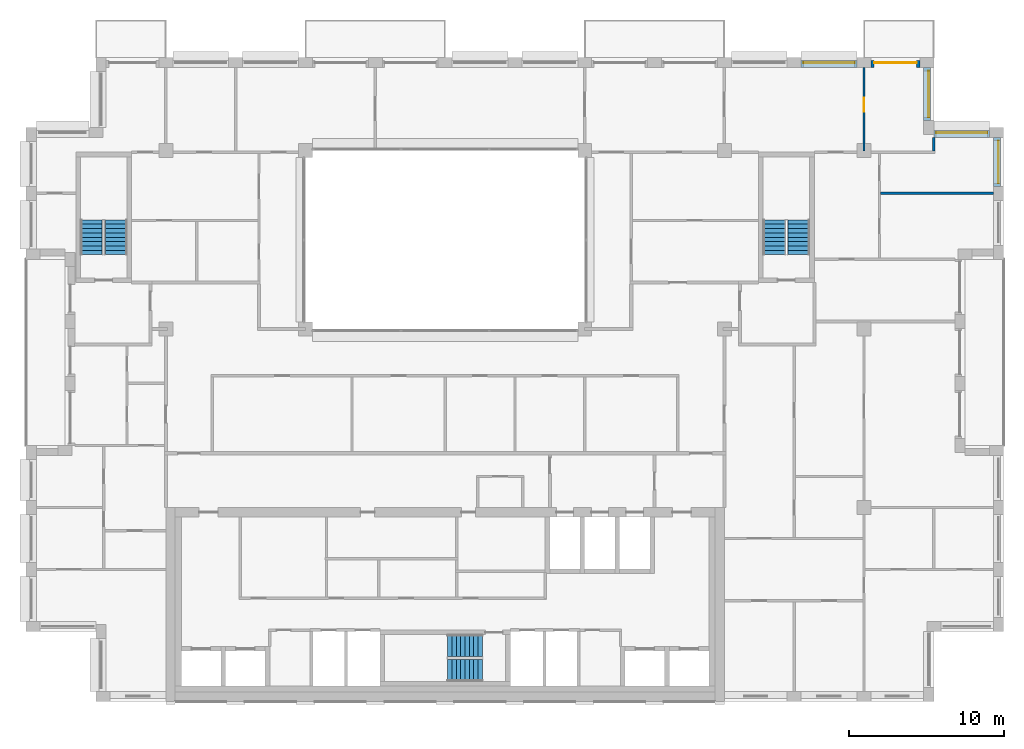
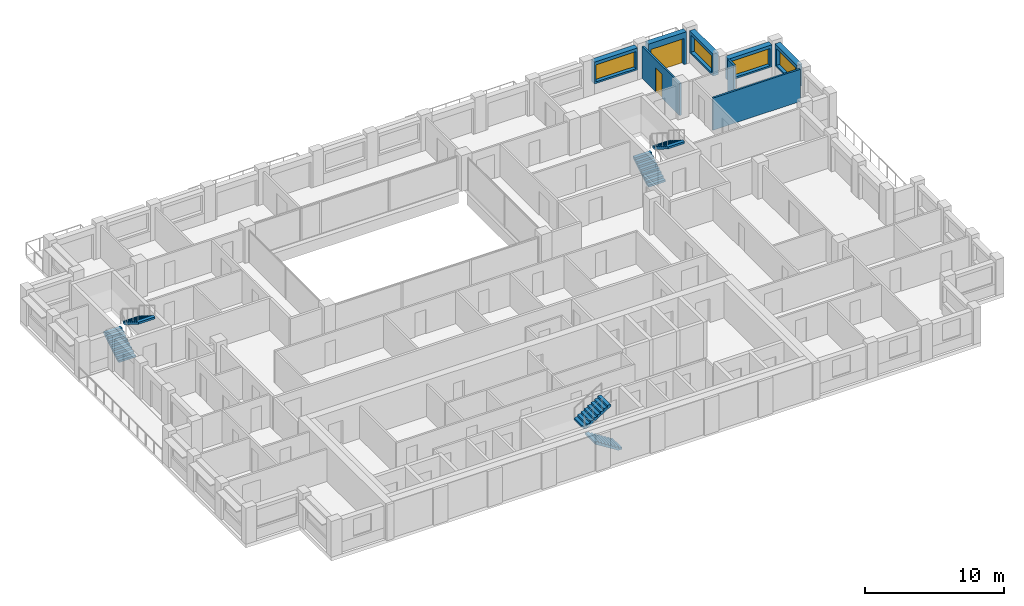
# One storey, part 14 of 15: 8 walls, 6 stair flights, 4 windows, 2 doors, 6 openings, 3 elements without a shape of their own.
"""IFC4 building model written with IfcOpenShell, lengths in metres."""

from ifc_helpers import new_model, si_unit, direction, frame, frame_2d, origin, place, context, subcontext, project, spatial, polyline, rectangle, outline, extrude, material, layer, layer_set, type_object, element, fill, aggregate, save


model = new_model("IFC4")

# Units and contexts
model_context = context("Model", 3, precision=1e-05, world=origin(), true_north=direction((0.0, 1.0)))
body_context = subcontext(model_context, "Body", "Model", "MODEL_VIEW")
ifc_project = project(units=[si_unit("LENGTHUNIT", "METRE"), si_unit("AREAUNIT", "SQUARE_METRE"), si_unit("VOLUMEUNIT", "CUBIC_METRE"), si_unit("PLANEANGLEUNIT", "RADIAN"), si_unit("MASSUNIT", "GRAM", prefix="KILO")], contexts=[model_context])

# Site, building, storey
site_placement = place(None, origin())
site = spatial("IfcSite", under=ifc_project, at=site_placement, CompositionType="ELEMENT")
building_placement = place(site_placement, origin())
building = spatial("IfcBuilding", under=site, at=building_placement, Name="Brigalow Station Residences", CompositionType="ELEMENT")
storey_placement = place(building_placement, frame((0.0, 0.0, 226.35009765625)))
storey = spatial("IfcBuildingStorey", under=building, at=storey_placement, Name="L65", CompositionType="ELEMENT", Elevation=226.35009765625)

# Wall, opening, window
ifc_material_1 = material(Name="Clay brick masonry", Category="masonry")
ifc_layer_1 = layer(ifc_material_1, 0.449951171875)
ifc_layer_set_1 = layer_set([ifc_layer_1], Name="BRICK INFILL WALL 450")
wall_type_1 = type_object("IfcWallType", Name="BRICK INFILL WALL 450", PredefinedType="SOLIDWALL", material=ifc_layer_set_1)
wall_1_placement = place(storey_placement, frame((71.574951171875, 33.199951171875, 0.89990234375), z_axis=(0.0, 0.0, 1.0), x_axis=(0.0, 1.0, 0.0)))
wall_1 = element("IfcWall", 1, at=wall_1_placement, inside=storey, type_object=wall_type_1, Name="L65/ewall/W-L65-17", PredefinedType="SOLIDWALL", context=body_context, shape_type="SweptSolid", body=[
    extrude(rectangle(XDim=3.150146484375, YDim=0.449951171875, at=frame_2d((1.5751953125, 0.0))), origin(), (0.0, 0.0, 1.0), 1.929931640625),
])
opening_1_placement = place(wall_1_placement, frame((0.199951171875, 0.0, 0.14990234375)))
opening_1 = element("IfcOpeningElement", 2, at=opening_1_placement, cuts=wall_1, Name="Opening WT-3", PredefinedType="OPENING", context=body_context, shape_type="SweptSolid", body=[
    extrude(rectangle(XDim=2.75, YDim=1.5, at=frame_2d((1.375, 0.75))), frame((0.0, 0.23486328125, 0.0), z_axis=(0.0, -1.0, 0.0), x_axis=(1.0, 0.0, 0.0)), (0.0, 0.0, 1.0), 0.469970703125),
])
ifc_material_2 = material(Name="Anodised aluminium frame with double glazing", Category="aluminium")
window_type_1 = type_object("IfcWindowType", Name="WINDOW 2750x1500", PartitioningType="SINGLE_PANEL", PredefinedType="WINDOW", material=ifc_material_2)
window_1_placement = place(opening_1_placement, origin())
window_1 = element("IfcWindow", 3, at=window_1_placement, inside=storey, type_object=window_type_1, Name="L65/window/W-L65-17", OverallHeight=1.5, OverallWidth=2.75, PartitioningType="SINGLE_PANEL", PredefinedType="WINDOW", context=body_context, shape_type="SweptSolid", body=[
    extrude(rectangle(XDim=2.75, YDim=1.5, at=frame_2d((1.375, 0.75))), frame((0.0, -0.06494140625, 0.0), z_axis=(0.0, -1.0, 0.0), x_axis=(1.0, 0.0, 0.0)), (0.0, 0.0, 1.0), 0.06005859375),
])
fill(opening_1, window_1)

wall_2_placement = place(storey_placement, frame((71.10009765625, 36.574951171875, 0.89990234375), z_axis=(0.0, 0.0, 1.0), x_axis=(-1.0, 0.0, 0.0)))
wall_2 = element("IfcWall", 4, at=wall_2_placement, inside=storey, type_object=wall_type_1, Name="L65/ewall/W-L65-18", PredefinedType="SOLIDWALL", context=body_context, shape_type="SweptSolid", body=[
    extrude(rectangle(XDim=3.60009765625, YDim=0.449951171875, at=frame_2d((1.800048828125, 0.0))), origin(), (0.0, 0.0, 1.0), 1.929931640625),
])
opening_2_placement = place(wall_2_placement, frame((0.14990234375, 0.0, 0.14990234375)))
opening_2 = element("IfcOpeningElement", 5, at=opening_2_placement, cuts=wall_2, Name="Opening WT-10", PredefinedType="OPENING", context=body_context, shape_type="SweptSolid", body=[
    extrude(rectangle(XDim=3.300048828125, YDim=1.5, at=frame_2d((1.64990234375, 0.75))), frame((0.0, 0.23486328125, 0.0), z_axis=(0.0, -1.0, 0.0), x_axis=(1.0, 0.0, 0.0)), (0.0, 0.0, 1.0), 0.469970703125),
])
ifc_material_3 = material(Name="Anodised aluminium frame with double glazing", Category="aluminium")
window_type_2 = type_object("IfcWindowType", Name="WINDOW 3300x1500", PartitioningType="SINGLE_PANEL", PredefinedType="WINDOW", material=ifc_material_3)
window_2_placement = place(opening_2_placement, origin())
window_2 = element("IfcWindow", 6, at=window_2_placement, inside=storey, type_object=window_type_2, Name="L65/window/W-L65-18", OverallHeight=1.5, OverallWidth=3.300048828125, PartitioningType="SINGLE_PANEL", PredefinedType="WINDOW", context=body_context, shape_type="SweptSolid", body=[
    extrude(rectangle(XDim=3.300048828125, YDim=1.5, at=frame_2d((1.64990234375, 0.75))), frame((0.0, -0.06494140625, 0.0), z_axis=(0.0, -1.0, 0.0), x_axis=(1.0, 0.0, 0.0)), (0.0, 0.0, 1.0), 0.06005859375),
])
fill(opening_2, window_2)

wall_3_placement = place(storey_placement, frame((67.074951171875, 37.449951171875, 0.89990234375), z_axis=(0.0, 0.0, 1.0), x_axis=(0.0, 1.0, 0.0)))
wall_3 = element("IfcWall", 7, at=wall_3_placement, inside=storey, type_object=wall_type_1, Name="L65/ewall/W-L65-19", PredefinedType="SOLIDWALL", context=body_context, shape_type="SweptSolid", body=[
    extrude(rectangle(XDim=3.400146484375, YDim=0.449951171875, at=frame_2d((1.7001953125, 0.0))), origin(), (0.0, 0.0, 1.0), 1.929931640625),
])
opening_3_placement = place(wall_3_placement, frame((0.199951171875, 0.0, 0.14990234375)))
opening_3 = element("IfcOpeningElement", 8, at=opening_3_placement, cuts=wall_3, Name="Opening WT-2", PredefinedType="OPENING", context=body_context, shape_type="SweptSolid", body=[
    extrude(rectangle(XDim=3.0, YDim=1.5, at=frame_2d((1.5, 0.75))), frame((0.0, 0.23486328125, 0.0), z_axis=(0.0, -1.0, 0.0), x_axis=(1.0, 0.0, 0.0)), (0.0, 0.0, 1.0), 0.469970703125),
])
ifc_material_4 = material(Name="Anodised aluminium frame with double glazing", Category="aluminium")
window_type_3 = type_object("IfcWindowType", Name="WINDOW 3000x1500", PartitioningType="SINGLE_PANEL", PredefinedType="WINDOW", material=ifc_material_4)
window_3_placement = place(opening_3_placement, origin())
window_3 = element("IfcWindow", 9, at=window_3_placement, inside=storey, type_object=window_type_3, Name="L65/window/W-L65-19", OverallHeight=1.5, OverallWidth=3.0, PartitioningType="SINGLE_PANEL", PredefinedType="WINDOW", context=body_context, shape_type="SweptSolid", body=[
    extrude(rectangle(XDim=3.0, YDim=1.5, at=frame_2d((1.5, 0.75))), frame((0.0, -0.06494140625, 0.0), z_axis=(0.0, -1.0, 0.0), x_axis=(1.0, 0.0, 0.0)), (0.0, 0.0, 1.0), 0.06005859375),
])
fill(opening_3, window_3)

# Wall, opening, door
wall_4_placement = place(storey_placement, frame((66.60009765625, 41.074951171875, 0.0), z_axis=(0.0, 0.0, 1.0), x_axis=(-1.0, 0.0, 0.0)))
wall_4 = element("IfcWall", 10, at=wall_4_placement, inside=storey, type_object=wall_type_1, Name="L65/ewall/W-L65-20", PredefinedType="SOLIDWALL", context=body_context, shape_type="SweptSolid", body=[
    extrude(rectangle(XDim=3.150146484375, YDim=0.449951171875, at=frame_2d((1.5751953125, 0.0))), origin(), (0.0, 0.0, 1.0), 2.829833984375),
])
opening_4_placement = place(wall_4_placement, frame((0.199951171875, 0.0, 0.0)))
opening_4 = element("IfcOpeningElement", 11, at=opening_4_placement, cuts=wall_4, Name="Opening D-B2750", PredefinedType="OPENING", context=body_context, shape_type="SweptSolid", body=[
    extrude(rectangle(XDim=2.75, YDim=2.300048828125, at=frame_2d((1.375, 1.14990234375))), frame((0.0, 0.23486328125, 0.0), z_axis=(0.0, -1.0, 0.0), x_axis=(1.0, 0.0, 0.0)), (0.0, 0.0, 1.0), 0.469970703125),
])
ifc_material_5 = material(Name="Anodised aluminium frame with double glazing", Category="aluminium")
door_type_1 = type_object("IfcDoorType", Name="BALCONY SLIDING DOOR 2750x2300", OperationType="SLIDING_TO_LEFT", PredefinedType="DOOR", material=ifc_material_5)
door_1_placement = place(opening_4_placement, origin())
door_1 = element("IfcDoor", 12, at=door_1_placement, inside=storey, type_object=door_type_1, Name="L65/balcony-door/W-L65-20", OperationType="SLIDING_TO_LEFT", OverallHeight=2.300048828125, OverallWidth=2.75, PredefinedType="DOOR", context=body_context, shape_type="SweptSolid", body=[
    extrude(rectangle(XDim=2.75, YDim=2.300048828125, at=frame_2d((1.375, 1.14990234375))), frame((0.0, -0.06982421875, 0.0), z_axis=(0.0, -1.0, 0.0), x_axis=(1.0, 0.0, 0.0)), (0.0, 0.0, 1.0), 0.050048828125),
])
fill(opening_4, door_1)

# Wall, opening, window
wall_5_placement = place(storey_placement, frame((62.550048828125, 41.074951171875, 0.89990234375), z_axis=(0.0, 0.0, 1.0), x_axis=(-1.0, 0.0, 0.0)))
wall_5 = element("IfcWall", 13, at=wall_5_placement, inside=storey, type_object=wall_type_1, Name="L65/ewall/W-L65-21", PredefinedType="SOLIDWALL", context=body_context, shape_type="SweptSolid", body=[
    extrude(rectangle(XDim=3.60009765625, YDim=0.449951171875, at=frame_2d((1.800048828125, 0.0))), origin(), (0.0, 0.0, 1.0), 1.929931640625),
])
opening_5_placement = place(wall_5_placement, frame((0.14990234375, 0.0, 0.14990234375)))
opening_5 = element("IfcOpeningElement", 14, at=opening_5_placement, cuts=wall_5, Name="Opening WT-10", PredefinedType="OPENING", context=body_context, shape_type="SweptSolid", body=[
    extrude(rectangle(XDim=3.300048828125, YDim=1.5, at=frame_2d((1.64990234375, 0.75))), frame((0.0, 0.23486328125, 0.0), z_axis=(0.0, -1.0, 0.0), x_axis=(1.0, 0.0, 0.0)), (0.0, 0.0, 1.0), 0.469970703125),
])
window_4_placement = place(opening_5_placement, origin())
window_4 = element("IfcWindow", 15, at=window_4_placement, inside=storey, type_object=window_type_2, Name="L65/window/W-L65-21", OverallHeight=1.5, OverallWidth=3.300048828125, PartitioningType="SINGLE_PANEL", PredefinedType="WINDOW", context=body_context, shape_type="SweptSolid", body=[
    extrude(rectangle(XDim=3.300048828125, YDim=1.5, at=frame_2d((1.64990234375, 0.75))), frame((0.0, -0.06494140625, 0.0), z_axis=(0.0, -1.0, 0.0), x_axis=(1.0, 0.0, 0.0)), (0.0, 0.0, 1.0), 0.06005859375),
])
fill(opening_5, window_4)

# Wall
ifc_material_6 = material(Name="Plasterboard on steel stud partition", Category="steel")
ifc_layer_2 = layer(ifc_material_6, 0.14990234375)
ifc_layer_set_2 = layer_set([ifc_layer_2], Name="FLAT PARTITION 150")
wall_type_2 = type_object("IfcWallType", Name="FLAT PARTITION 150", PredefinedType="PARTITIONING", material=ifc_layer_set_2)
wall_6_placement = place(storey_placement, frame((64.074951171875, 32.75, 0.0), z_axis=(0.0, 0.0, 1.0), x_axis=(1.0, 0.0, 0.0)))
element("IfcWall", 16, at=wall_6_placement, inside=storey, type_object=wall_type_2, Name="PW-4D21", PredefinedType="PARTITIONING", context=body_context, shape_type="SweptSolid", body=[
    extrude(rectangle(XDim=7.275146484375, YDim=0.14990234375, at=frame_2d((3.6376953125, 0.0))), origin(), (0.0, 0.0, 1.0), 2.829833984375),
])

# Wall, opening, door
wall_7_placement = place(storey_placement, frame((63.0, 35.47509765625, 0.0), z_axis=(0.0, 0.0, 1.0), x_axis=(0.0, 1.0, 0.0)))
wall_7 = element("IfcWall", 17, at=wall_7_placement, inside=storey, type_object=wall_type_2, Name="PW-4D46", PredefinedType="PARTITIONING", context=body_context, shape_type="SweptSolid", body=[
    extrude(rectangle(XDim=5.375, YDim=0.14990234375, at=frame_2d((2.6875, 0.0))), origin(), (0.0, 0.0, 1.0), 2.829833984375),
])
opening_6_placement = place(wall_7_placement, frame((2.550048828125, 0.0, 0.0)))
opening_6 = element("IfcOpeningElement", 18, at=opening_6_placement, cuts=wall_7, Name="Opening D-4D26", PredefinedType="OPENING", context=body_context, shape_type="SweptSolid", body=[
    extrude(rectangle(XDim=0.89990234375, YDim=2.10009765625, at=frame_2d((0.449951171875, 1.050048828125))), frame((0.0, 0.0849609375, 0.0), z_axis=(0.0, -1.0, 0.0), x_axis=(1.0, 0.0, 0.0)), (0.0, 0.0, 1.0), 0.169921875),
])
ifc_material_7 = material(Name="Solid-core timber door leaf", Category="wood")
door_type_2 = type_object("IfcDoorType", Name="INTERNAL DOOR 900 x 2100", OperationType="SINGLE_SWING_LEFT", PredefinedType="DOOR", material=ifc_material_7)
door_2_placement = place(opening_6_placement, frame((0.89990234375, 0.0, 0.0), z_axis=(0.0, 0.0, 1.0), x_axis=(-1.0, 0.0, 0.0)))
door_2 = element("IfcDoor", 19, at=door_2_placement, inside=storey, type_object=door_type_2, Name="D-4D26", OperationType="SINGLE_SWING_LEFT", OverallHeight=2.10009765625, OverallWidth=0.89990234375, PredefinedType="DOOR", context=body_context, shape_type="SweptSolid", body=[
    extrude(rectangle(XDim=0.89990234375, YDim=2.10009765625, at=frame_2d((0.449951171875, 1.050048828125))), frame((0.0, 0.02490234375, 0.0), z_axis=(0.0, -1.0, 0.0), x_axis=(1.0, 0.0, 0.0)), (0.0, 0.0, 1.0), 0.050048828125),
])
fill(opening_6, door_2)

# Wall
wall_8_placement = place(storey_placement, frame((67.5, 35.47509765625, 0.0), z_axis=(0.0, 0.0, 1.0), x_axis=(0.0, 1.0, 0.0)))
element("IfcWall", 20, at=wall_8_placement, inside=storey, type_object=wall_type_2, Name="PW-4D48", PredefinedType="PARTITIONING", context=body_context, shape_type="SweptSolid", body=[
    extrude(rectangle(XDim=0.875, YDim=0.14990234375, at=frame_2d((0.4375, 0.0))), origin(), (0.0, 0.0, 1.0), 2.829833984375),
])

# Stair, stair flights
ifc_material_8 = material(Name="Concrete C50", Category="concrete")
stair_type = type_object("IfcStairType", Name="EXIT STAIR 1400 2 FLIGHT", PredefinedType="HALF_TURN_STAIR", material=ifc_material_8)
stair_1_placement = place(storey_placement, origin())
stair_1 = element("IfcStair", 21, at=stair_1_placement, inside=storey, type_object=stair_type, Name="EXIT STAIR S2 L65", PredefinedType="HALF_TURN_STAIR")
ifc_material_9 = material(Name="Concrete C50", Category="concrete")
stair_flight_type = type_object("IfcStairFlightType", Name="STAIR FLIGHT 1400", PredefinedType="STRAIGHT", material=ifc_material_9)
stair_flight_1_placement = place(storey_placement, frame((38.39990234375, 2.0, 0.0), z_axis=(0.0, 0.0, 1.0), x_axis=(-1.0, 0.0, 0.0)))
stair_flight_1 = element("IfcStairFlight", 22, at=stair_flight_1_placement, type_object=stair_flight_type, Name="ST-2 flight 1", NumberOfRisers=9, NumberOfTreads=8, PredefinedType="STRAIGHT", RiserHeight=0.175, TreadLength=0.28, context=body_context, shape_type="SweptSolid", body=[
    extrude(outline(polyline([(0.0, 0.0), (0.0, 0.175048828125), (0.280029296875, 0.175048828125), (0.280029296875, 0.35009765625), (0.56005859375, 0.35009765625), (0.56005859375, 0.52490234375), (0.840087890625, 0.52490234375), (0.840087890625, 0.699951171875), (1.1201171875, 0.699951171875), (1.1201171875, 0.875), (1.39990234375, 0.875), (1.39990234375, 1.050048828125), (1.679931640625, 1.050048828125), (1.679931640625, 1.22509765625), (1.9599609375, 1.22509765625), (1.9599609375, 1.39990234375), (2.239990234375, 1.39990234375), (2.239990234375, 1.574951171875), (2.239990234375, 1.22314453125), (0.28271484375, 0.0), (0.0, 0.0)])), frame((0.0, 0.699951171875, 0.0), z_axis=(0.0, -1.0, 0.0), x_axis=(1.0, 0.0, 0.0)), (0.0, 0.0, 1.0), 1.39990234375),
])
stair_flight_2_placement = place(storey_placement, frame((36.159912109375, 3.60009765625, 1.574951171875), z_axis=(0.0, 0.0, 1.0), x_axis=(1.0, 0.0, 0.0)))
stair_flight_2 = element("IfcStairFlight", 23, at=stair_flight_2_placement, type_object=stair_flight_type, Name="ST-2 flight 2", NumberOfRisers=9, NumberOfTreads=8, PredefinedType="STRAIGHT", RiserHeight=0.175, TreadLength=0.28, context=body_context, shape_type="SweptSolid", body=[
    extrude(outline(polyline([(0.0, 0.0), (0.0, 0.175048828125), (0.280029296875, 0.175048828125), (0.280029296875, 0.35009765625), (0.56005859375, 0.35009765625), (0.56005859375, 0.52490234375), (0.840087890625, 0.52490234375), (0.840087890625, 0.699951171875), (1.1201171875, 0.699951171875), (1.1201171875, 0.875), (1.39990234375, 0.875), (1.39990234375, 1.050048828125), (1.679931640625, 1.050048828125), (1.679931640625, 1.22509765625), (1.9599609375, 1.22509765625), (1.9599609375, 1.39990234375), (2.239990234375, 1.39990234375), (2.239990234375, 1.574951171875), (2.239990234375, 1.22314453125), (0.28271484375, 0.0), (0.0, 0.0)])), frame((0.0, 0.699951171875, 0.0), z_axis=(0.0, -1.0, 0.0), x_axis=(1.0, 0.0, 0.0)), (0.0, 0.0, 1.0), 1.39990234375),
])
aggregate(stair_1, [stair_flight_1, stair_flight_2])

stair_2_placement = place(storey_placement, origin())
stair_2 = element("IfcStair", 24, at=stair_2_placement, inside=storey, type_object=stair_type, Name="EXIT STAIR S1 L65", PredefinedType="HALF_TURN_STAIR")
stair_flight_3_placement = place(storey_placement, frame((13.199951171875, 28.800048828125, 0.0), z_axis=(0.0, 0.0, 1.0), x_axis=(0.0, 1.0, 0.0)))
stair_flight_3 = element("IfcStairFlight", 25, at=stair_flight_3_placement, type_object=stair_flight_type, Name="ST-1 flight 1", NumberOfRisers=9, NumberOfTreads=8, PredefinedType="STRAIGHT", RiserHeight=0.175, TreadLength=0.28, context=body_context, shape_type="SweptSolid", body=[
    extrude(outline(polyline([(0.0, 0.0), (0.0, 0.175048828125), (0.280029296875, 0.175048828125), (0.280029296875, 0.35009765625), (0.56005859375, 0.35009765625), (0.56005859375, 0.52490234375), (0.840087890625, 0.52490234375), (0.840087890625, 0.699951171875), (1.1201171875, 0.699951171875), (1.1201171875, 0.875), (1.39990234375, 0.875), (1.39990234375, 1.050048828125), (1.679931640625, 1.050048828125), (1.679931640625, 1.22509765625), (1.9599609375, 1.22509765625), (1.9599609375, 1.39990234375), (2.239990234375, 1.39990234375), (2.239990234375, 1.574951171875), (2.239990234375, 1.22314453125), (0.28271484375, 0.0), (0.0, 0.0)])), frame((0.0, 0.699951171875, 0.0), z_axis=(0.0, -1.0, 0.0), x_axis=(1.0, 0.0, 0.0)), (0.0, 0.0, 1.0), 1.39990234375),
])
stair_flight_4_placement = place(storey_placement, frame((14.800048828125, 31.0400390625, 1.574951171875), z_axis=(0.0, 0.0, 1.0), x_axis=(0.0, -1.0, 0.0)))
stair_flight_4 = element("IfcStairFlight", 26, at=stair_flight_4_placement, type_object=stair_flight_type, Name="ST-1 flight 2", NumberOfRisers=9, NumberOfTreads=8, PredefinedType="STRAIGHT", RiserHeight=0.175, TreadLength=0.28, context=body_context, shape_type="SweptSolid", body=[
    extrude(outline(polyline([(0.0, 0.0), (0.0, 0.175048828125), (0.280029296875, 0.175048828125), (0.280029296875, 0.35009765625), (0.56005859375, 0.35009765625), (0.56005859375, 0.52490234375), (0.840087890625, 0.52490234375), (0.840087890625, 0.699951171875), (1.1201171875, 0.699951171875), (1.1201171875, 0.875), (1.39990234375, 0.875), (1.39990234375, 1.050048828125), (1.679931640625, 1.050048828125), (1.679931640625, 1.22509765625), (1.9599609375, 1.22509765625), (1.9599609375, 1.39990234375), (2.239990234375, 1.39990234375), (2.239990234375, 1.574951171875), (2.239990234375, 1.22314453125), (0.28271484375, 0.0), (0.0, 0.0)])), frame((0.0, 0.699951171875, 0.0), z_axis=(0.0, -1.0, 0.0), x_axis=(1.0, 0.0, 0.0)), (0.0, 0.0, 1.0), 1.39990234375),
])
aggregate(stair_2, [stair_flight_3, stair_flight_4])

stair_3_placement = place(storey_placement, origin())
stair_3 = element("IfcStair", 27, at=stair_3_placement, inside=storey, type_object=stair_type, Name="EXIT STAIR S3 L65", PredefinedType="HALF_TURN_STAIR")
stair_flight_5_placement = place(storey_placement, frame((57.199951171875, 28.800048828125, 0.0), z_axis=(0.0, 0.0, 1.0), x_axis=(0.0, 1.0, 0.0)))
stair_flight_5 = element("IfcStairFlight", 28, at=stair_flight_5_placement, type_object=stair_flight_type, Name="ST-3 flight 1", NumberOfRisers=9, NumberOfTreads=8, PredefinedType="STRAIGHT", RiserHeight=0.175, TreadLength=0.28, context=body_context, shape_type="SweptSolid", body=[
    extrude(outline(polyline([(0.0, 0.0), (0.0, 0.175048828125), (0.280029296875, 0.175048828125), (0.280029296875, 0.35009765625), (0.56005859375, 0.35009765625), (0.56005859375, 0.52490234375), (0.840087890625, 0.52490234375), (0.840087890625, 0.699951171875), (1.1201171875, 0.699951171875), (1.1201171875, 0.875), (1.39990234375, 0.875), (1.39990234375, 1.050048828125), (1.679931640625, 1.050048828125), (1.679931640625, 1.22509765625), (1.9599609375, 1.22509765625), (1.9599609375, 1.39990234375), (2.239990234375, 1.39990234375), (2.239990234375, 1.574951171875), (2.239990234375, 1.22314453125), (0.28271484375, 0.0), (0.0, 0.0)])), frame((0.0, 0.699951171875, 0.0), z_axis=(0.0, -1.0, 0.0), x_axis=(1.0, 0.0, 0.0)), (0.0, 0.0, 1.0), 1.39990234375),
])
stair_flight_6_placement = place(storey_placement, frame((58.800048828125, 31.0400390625, 1.574951171875), z_axis=(0.0, 0.0, 1.0), x_axis=(0.0, -1.0, 0.0)))
stair_flight_6 = element("IfcStairFlight", 29, at=stair_flight_6_placement, type_object=stair_flight_type, Name="ST-3 flight 2", NumberOfRisers=9, NumberOfTreads=8, PredefinedType="STRAIGHT", RiserHeight=0.175, TreadLength=0.28, context=body_context, shape_type="SweptSolid", body=[
    extrude(outline(polyline([(0.0, 0.0), (0.0, 0.175048828125), (0.280029296875, 0.175048828125), (0.280029296875, 0.35009765625), (0.56005859375, 0.35009765625), (0.56005859375, 0.52490234375), (0.840087890625, 0.52490234375), (0.840087890625, 0.699951171875), (1.1201171875, 0.699951171875), (1.1201171875, 0.875), (1.39990234375, 0.875), (1.39990234375, 1.050048828125), (1.679931640625, 1.050048828125), (1.679931640625, 1.22509765625), (1.9599609375, 1.22509765625), (1.9599609375, 1.39990234375), (2.239990234375, 1.39990234375), (2.239990234375, 1.574951171875), (2.239990234375, 1.22314453125), (0.28271484375, 0.0), (0.0, 0.0)])), frame((0.0, 0.699951171875, 0.0), z_axis=(0.0, -1.0, 0.0), x_axis=(1.0, 0.0, 0.0)), (0.0, 0.0, 1.0), 1.39990234375),
])
aggregate(stair_3, [stair_flight_5, stair_flight_6])

save(model, "model.ifc")
